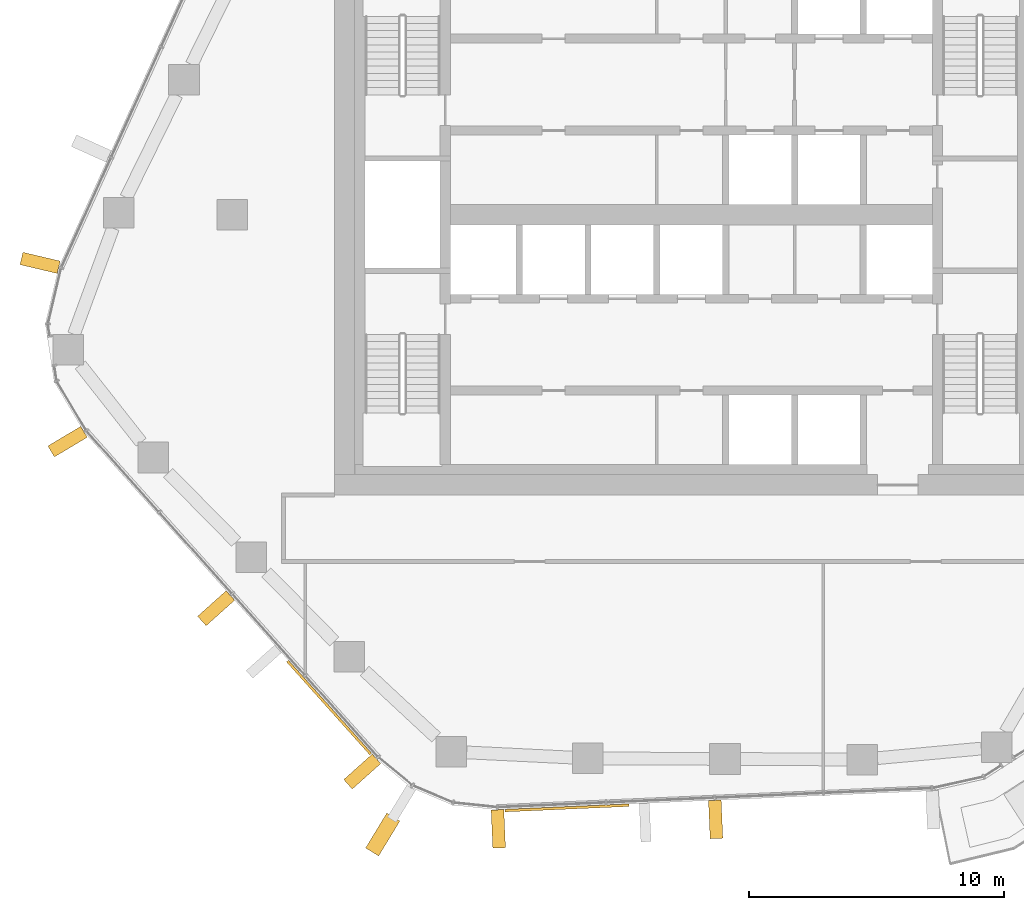
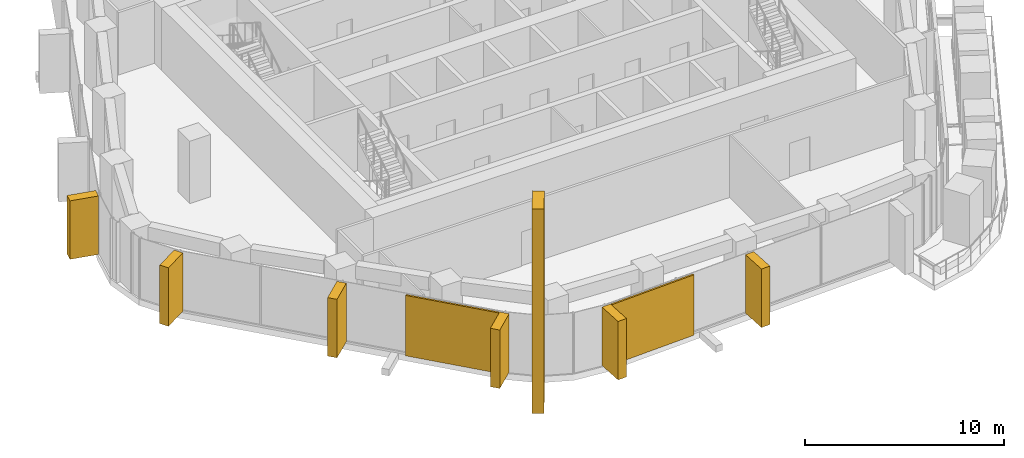
# One storey, part 14 of 18: 9 coverings, 5 elements without a shape of their own.
"""IFC4 building model written with IfcOpenShell, lengths in metres."""

from ifc_helpers import new_model, si_unit, direction, frame, origin, origin_2d, place, context, subcontext, project, spatial, rectangle, extrude, material, layer, layer_set, material_profile, profile_set, type_object, element, aggregate, save


model = new_model("IFC4")

# Units and contexts
model_context = context("Model", 3, precision=1e-05, world=origin(), true_north=direction((0.0, 1.0)))
body_context = subcontext(model_context, "Body", "Model", "MODEL_VIEW")
ifc_project = project(units=[si_unit("LENGTHUNIT", "METRE"), si_unit("AREAUNIT", "SQUARE_METRE"), si_unit("VOLUMEUNIT", "CUBIC_METRE"), si_unit("PLANEANGLEUNIT", "RADIAN"), si_unit("MASSUNIT", "GRAM", prefix="KILO")], contexts=[model_context])

# Site, building, storey
site_placement = place(None, origin())
site = spatial("IfcSite", under=ifc_project, at=site_placement, CompositionType="ELEMENT")
building_placement = place(site_placement, origin())
building = spatial("IfcBuilding", under=site, at=building_placement, Name="Dongbaek Canopy Tower", CompositionType="ELEMENT")
storey_placement = place(building_placement, frame((0.0, 0.0, 171.199951171875)))
storey = spatial("IfcBuildingStorey", under=building, at=storey_placement, Name="L37", CompositionType="ELEMENT", Elevation=171.199951171875)

# Curtain wall, covering
ifc_material_1 = material(Name="Aluminium 6063-T6 pale anodised", Category="aluminium")
ifc_layer_1 = layer(ifc_material_1, 0.199951171875)
ifc_layer_set_1 = layer_set([ifc_layer_1], Name="CW-1 unitised tower curtain wall")
curtain_wall_type = type_object("IfcCurtainWallType", Name="CW-1 unitised tower curtain wall", PredefinedType="NOTDEFINED", material=ifc_layer_set_1)
curtain_wall_1_placement = place(storey_placement, origin())
curtain_wall_1 = element("IfcCurtainWall", 1, at=curtain_wall_1_placement, inside=storey, type_object=curtain_wall_type, Name="CW-1 curtain wall K4.1", PredefinedType="NOTDEFINED")
ifc_material_2 = material(Name="Aluminium 6063-T6 pale metal fin", Category="aluminium")
ifc_material_profile_1 = material_profile(ifc_material_2, rectangle(XDim=1.60009765625, YDim=0.60009765625, at=origin_2d()), Name="Corner fin CN1 600 x 1600 pale metal")
ifc_profile_set_1 = profile_set([ifc_material_profile_1], Name="Aluminium 6063-T6 pale metal fin")
covering_type_1 = type_object("IfcCoveringType", Name="Corner fin CN1 600 x 1600 pale metal", PredefinedType="CLADDING", material=ifc_profile_set_1)
covering_1_placement = place(storey_placement, frame((-12.10302734375, -24.31201171875, -0.18994140625), z_axis=(0.0, 0.0, 1.0), x_axis=(-0.519286447955, -0.854600248637, 0.0)))
covering_1 = element("IfcCovering", 2, at=covering_1_placement, type_object=covering_type_1, Name="Corner fin L37 L39 K4", PredefinedType="CLADDING", context=body_context, shape_type="SweptSolid", body=[
    extrude(rectangle(XDim=1.60009765625, YDim=0.60009765625, at=origin_2d()), origin(), (0.0, 0.0, 1.0), 12.52001953125),
])
aggregate(curtain_wall_1, [covering_1])

curtain_wall_2_placement = place(storey_placement, origin())
curtain_wall_2 = element("IfcCurtainWall", 3, at=curtain_wall_2_placement, inside=storey, type_object=curtain_wall_type, Name="CW-1 curtain wall F3.1", PredefinedType="NOTDEFINED")
ifc_material_3 = material(Name="Perforated aluminium 6063-T6 pale metal screen", Category="aluminium")
ifc_layer_2 = layer(ifc_material_3, 0.10009765625)
ifc_layer_set_2 = layer_set([ifc_layer_2], Name="Facet screen FS1 100 pale metal")
covering_type_2 = type_object("IfcCoveringType", Name="Facet screen FS1 100 pale metal", PredefinedType="CLADDING", material=ifc_layer_set_2)
covering_2_placement = place(storey_placement, frame((-14.206787109375, -19.333251953125, 0.0), z_axis=(0.0, 0.0, 1.0), x_axis=(0.666829068512, -0.745210704021, 0.0)))
covering_2 = element("IfcCovering", 4, at=covering_2_placement, type_object=covering_type_2, Name="Facet screen L37 F3", PredefinedType="CLADDING", context=body_context, shape_type="SweptSolid", body=[
    extrude(rectangle(XDim=4.89501953125, YDim=0.10009765625, at=origin_2d()), origin(), (0.0, 0.0, 1.0), 3.699951171875),
])

curtain_wall_3_placement = place(storey_placement, origin())
curtain_wall_3 = element("IfcCurtainWall", 5, at=curtain_wall_3_placement, inside=storey, type_object=curtain_wall_type, Name="CW-1 curtain wall F4.1", PredefinedType="NOTDEFINED")
covering_3_placement = place(storey_placement, frame((-4.88037109375, -23.268310546875, 0.0), z_axis=(0.0, 0.0, 1.0), x_axis=(0.9990473078, 0.043640311373, 0.0)))
covering_3 = element("IfcCovering", 6, at=covering_3_placement, type_object=covering_type_2, Name="Facet screen L37 F4", PredefinedType="CLADDING", context=body_context, shape_type="SweptSolid", body=[
    extrude(rectangle(XDim=4.863525390625, YDim=0.10009765625, at=origin_2d()), origin(), (0.0, 0.0, 1.0), 3.699951171875),
])

curtain_wall_4_placement = place(storey_placement, origin())
curtain_wall_4 = element("IfcCurtainWall", 7, at=curtain_wall_4_placement, inside=storey, type_object=curtain_wall_type, Name="CW-1 curtain wall K3.1a", PredefinedType="NOTDEFINED")
ifc_material_4 = material(Name="Aluminium 6063-T6 pale metal fin", Category="aluminium")
ifc_material_profile_2 = material_profile(ifc_material_4, rectangle(XDim=1.5, YDim=0.5, at=origin_2d()), Name="Fin FN1 500 x 1500 pale metal")
ifc_profile_set_2 = profile_set([ifc_material_profile_2], Name="Aluminium 6063-T6 pale metal fin")
covering_type_3 = type_object("IfcCoveringType", Name="Fin FN1 500 x 1500 pale metal", PredefinedType="CLADDING", material=ifc_profile_set_2)
covering_4_placement = place(storey_placement, frame((-25.541259765625, -1.891357421875, 0.1201171875), z_axis=(0.0, 0.0, 1.0), x_axis=(-0.973142006285, 0.230205637646, 0.0)))
covering_4 = element("IfcCovering", 8, at=covering_4_placement, type_object=covering_type_3, Name="Fin K3.1a.1", PredefinedType="CLADDING", context=body_context, shape_type="SweptSolid", body=[
    extrude(rectangle(XDim=1.5, YDim=0.5, at=origin_2d()), origin(), (0.0, 0.0, 1.0), 3.579833984375),
])
aggregate(curtain_wall_4, [covering_4])

curtain_wall_5_placement = place(storey_placement, origin())
curtain_wall_5 = element("IfcCurtainWall", 9, at=curtain_wall_5_placement, inside=storey, type_object=curtain_wall_type, Name="CW-1 curtain wall K3.1b", PredefinedType="NOTDEFINED")
covering_5_placement = place(storey_placement, frame((-24.462890625, -8.90380859375, 0.1201171875), z_axis=(0.0, 0.0, 1.0), x_axis=(-0.858991947801, -0.511989095209, 0.0)))
covering_5 = element("IfcCovering", 10, at=covering_5_placement, type_object=covering_type_3, Name="Fin K3.1b.3", PredefinedType="CLADDING", context=body_context, shape_type="SweptSolid", body=[
    extrude(rectangle(XDim=1.5, YDim=0.5, at=origin_2d()), origin(), (0.0, 0.0, 1.0), 3.579833984375),
])
aggregate(curtain_wall_5, [covering_5])

# Covering
covering_6_placement = place(storey_placement, frame((-18.63671875, -15.438232421875, 0.1201171875), z_axis=(0.0, 0.0, 1.0), x_axis=(-0.745210570308, -0.666829217942, 0.0)))
covering_6 = element("IfcCovering", 11, at=covering_6_placement, type_object=covering_type_3, Name="Fin F3.1.3", PredefinedType="CLADDING", context=body_context, shape_type="SweptSolid", body=[
    extrude(rectangle(XDim=1.5, YDim=0.5, at=origin_2d()), origin(), (0.0, 0.0, 1.0), 3.579833984375),
])

covering_7_placement = place(storey_placement, frame((-12.906005859375, -21.8427734375, 0.1201171875), z_axis=(0.0, 0.0, 1.0), x_axis=(-0.745210570308, -0.666829217942, 0.0)))
covering_7 = element("IfcCovering", 12, at=covering_7_placement, type_object=covering_type_3, Name="Fin F3.1.5", PredefinedType="CLADDING", context=body_context, shape_type="SweptSolid", body=[
    extrude(rectangle(XDim=1.5, YDim=0.5, at=origin_2d()), origin(), (0.0, 0.0, 1.0), 3.579833984375),
])

aggregate(curtain_wall_2, [covering_6, covering_7, covering_2])

covering_8_placement = place(storey_placement, frame((-7.56884765625, -24.09033203125, 0.1201171875), z_axis=(0.0, 0.0, 1.0), x_axis=(0.043640187851, -0.999047313196, 0.0)))
covering_8 = element("IfcCovering", 13, at=covering_8_placement, type_object=covering_type_3, Name="Fin F4.1.1", PredefinedType="CLADDING", context=body_context, shape_type="SweptSolid", body=[
    extrude(rectangle(XDim=1.5, YDim=0.5, at=origin_2d()), origin(), (0.0, 0.0, 1.0), 3.579833984375),
])

covering_9_placement = place(storey_placement, frame((0.95458984375, -23.718017578125, 0.1201171875), z_axis=(0.0, 0.0, 1.0), x_axis=(0.043640187851, -0.999047313196, 0.0)))
covering_9 = element("IfcCovering", 14, at=covering_9_placement, type_object=covering_type_3, Name="Fin F4.1.3", PredefinedType="CLADDING", context=body_context, shape_type="SweptSolid", body=[
    extrude(rectangle(XDim=1.5, YDim=0.5, at=origin_2d()), origin(), (0.0, 0.0, 1.0), 3.579833984375),
])

aggregate(curtain_wall_3, [covering_8, covering_9, covering_3])

save(model, "model.ifc")
